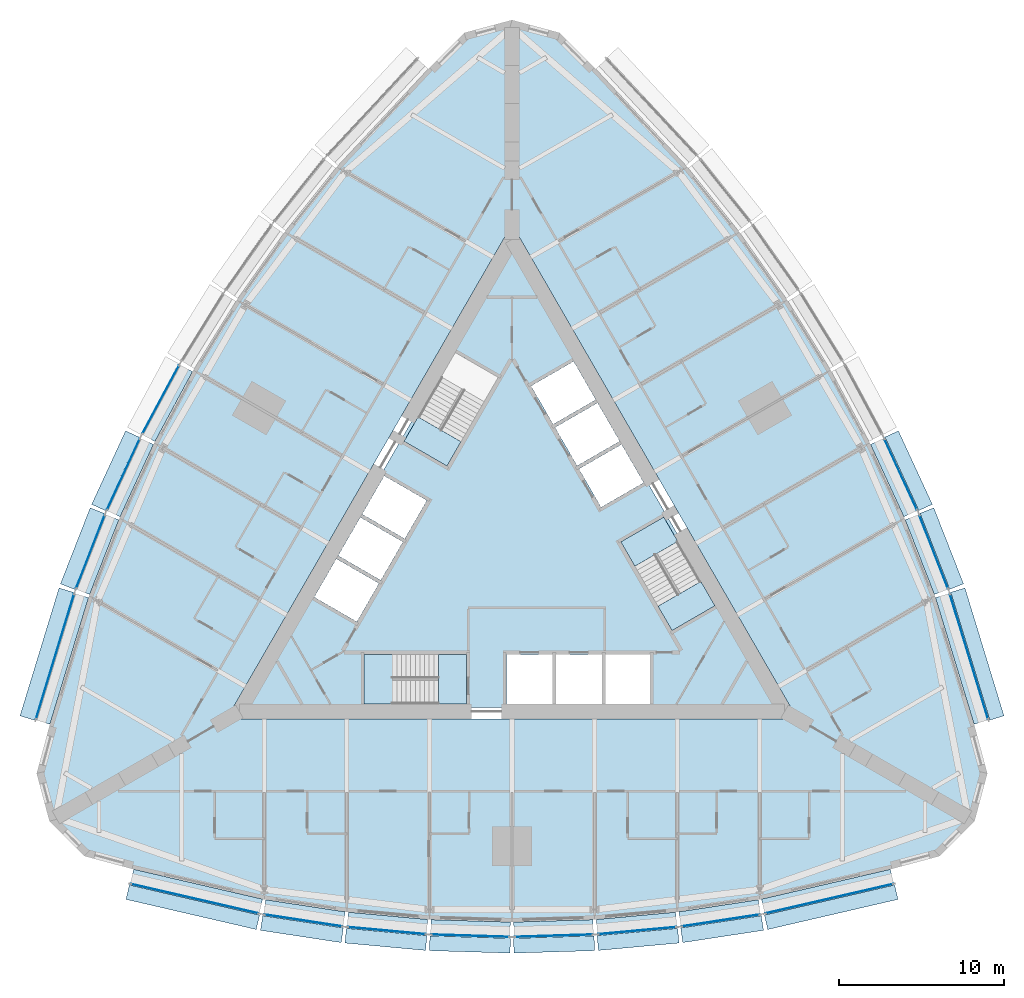
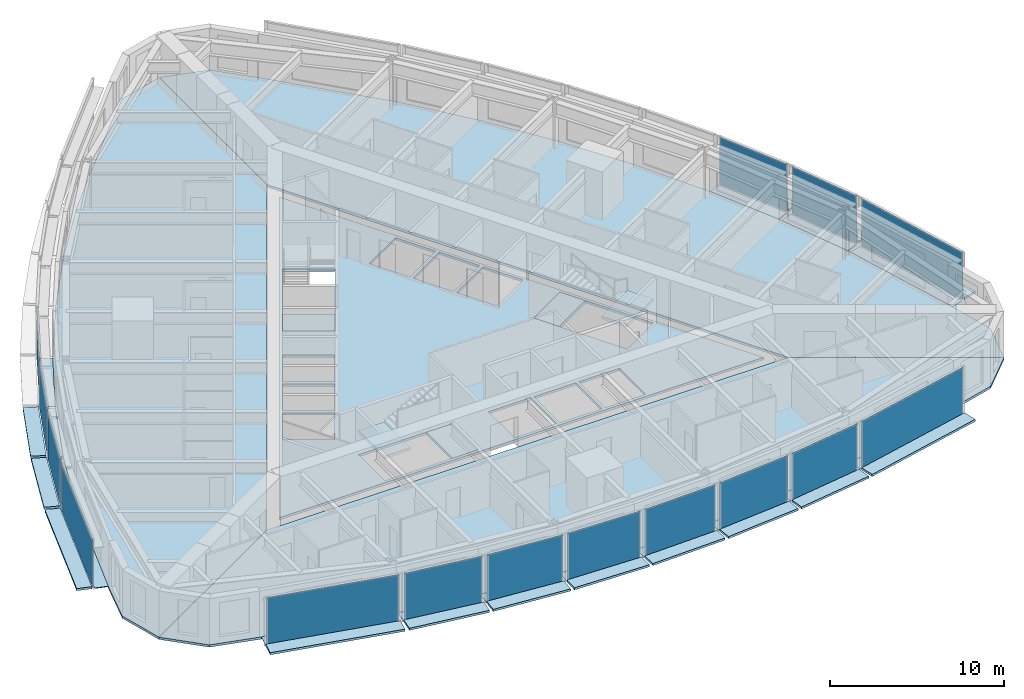
# One storey, part 6 of 14: 44 plates, 9 slabs, 18 elements without a shape of their own.
"""IFC4 building model written with IfcOpenShell, lengths in metres."""

import ifcopenshell
import ifcopenshell.guid

model = None  # the IFC model being written
_history = None  # IfcOwnerHistory: only IFC2X3 demands one
_inside = {}  # id of a spatial element -> (the spatial element, [elements in it])
_under = {}  # id of a project, library or spatial element -> (it, [spatial elements below it])
_declared = {}  # id of a project -> (the project, [libraries it declares])
_typed = {}  # id of a type object -> (the type object, [elements of that type])
_made_of = {}  # id of a material, layer set ... -> (it, [elements and type objects made of it])


def new_model(schema):
    """Start an empty IFC model of exactly this schema.

    Asked for "IFC4X3", IfcOpenShell would pick the latest addendum, in which some entities
    have other attributes; the version numbers below select the first issue.
    IFC2X3 requires an IfcOwnerHistory on every rooted entity: one is made here for all.
    """
    global model, _history
    if schema == "IFC4X3":
        model = ifcopenshell.file(schema_version=(4, 3, 0, 0))
    else:
        model = ifcopenshell.file(schema=schema)
    _inside.clear()
    _under.clear()
    _declared.clear()
    _typed.clear()
    _made_of.clear()
    _history = None
    if model.schema == "IFC2X3":
        org = make("IfcOrganization", Name="unknown")
        user = make(
            "IfcPersonAndOrganization",
            ThePerson=make("IfcPerson", FamilyName="unknown"),
            TheOrganization=org,
        )
        app = make(
            "IfcApplication",
            ApplicationDeveloper=org,
            Version="unknown",
            ApplicationFullName="unknown",
            ApplicationIdentifier="unknown",
        )
        _history = make(
            "IfcOwnerHistory",
            OwningUser=user,
            OwningApplication=app,
            ChangeAction="ADDED",
            CreationDate=0,
        )
    return model


def make(cls, **values):
    """One entity of the class cls with the attributes given. An attribute that is None is left unset."""
    return model.create_entity(
        cls, **{name: value for name, value in values.items() if value is not None}
    )


def rooted(cls, **values):
    """An entity with a GlobalId (a new one), such as an element, a storey or a relation."""
    return make(cls, GlobalId=ifcopenshell.guid.new(), OwnerHistory=_history, **values)


def si_unit(unit_type, name, prefix=None):
    """IfcSIUnit, for example si_unit("LENGTHUNIT", "METRE", prefix="MILLI")."""
    return make("IfcSIUnit", UnitType=unit_type, Prefix=prefix, Name=name)


def assignment(units):
    """IfcUnitAssignment: the units of a project."""
    return None if units is None else make("IfcUnitAssignment", Units=units)


def point(xyz):
    """IfcCartesianPoint."""
    return None if xyz is None else make("IfcCartesianPoint", Coordinates=xyz)


def direction(xyz):
    """IfcDirection."""
    return None if xyz is None else make("IfcDirection", DirectionRatios=xyz)


def frame(location, z_axis=None, x_axis=None):
    """IfcAxis2Placement3D, a coordinate frame: its origin and axes. An axis left out is left unset."""
    return make(
        "IfcAxis2Placement3D",
        Location=point(location),
        Axis=direction(z_axis),
        RefDirection=direction(x_axis),
    )


def frame_2d(location, x_axis=None):
    """IfcAxis2Placement2D, a coordinate frame in the plane: its origin and x axis."""
    return make(
        "IfcAxis2Placement2D", Location=point(location), RefDirection=direction(x_axis)
    )


def origin():
    """The frame at (0, 0, 0) with its axes left unset."""
    return frame((0.0, 0.0, 0.0))


def origin_2d():
    """The frame at (0, 0) in the plane with its x axis left unset."""
    return frame_2d((0.0, 0.0))


def place(relative_to, where):
    """IfcLocalPlacement: puts the frame where relative to a parent placement (None: the world)."""
    return make(
        "IfcLocalPlacement", PlacementRelTo=relative_to, RelativePlacement=where
    )


def context(
    kind, dimensions, precision=None, world=None, true_north=None, identifier=None
):
    """IfcGeometricRepresentationContext, for example the 3D "Model" context."""
    return make(
        "IfcGeometricRepresentationContext",
        ContextIdentifier=identifier,
        ContextType=kind,
        CoordinateSpaceDimension=dimensions,
        Precision=precision,
        WorldCoordinateSystem=world,
        TrueNorth=true_north,
    )


def subcontext(parent, identifier, kind, view, scale=None):
    """IfcGeometricRepresentationSubContext, for example "Body" below "Model"."""
    return make(
        "IfcGeometricRepresentationSubContext",
        ContextIdentifier=identifier,
        ContextType=kind,
        ParentContext=parent,
        TargetScale=scale,
        TargetView=view,
    )


def project(units=None, contexts=None):
    """IfcProject with its units and contexts."""
    return rooted(
        "IfcProject",
        Name="project",
        RepresentationContexts=contexts,
        UnitsInContext=assignment(units),
    )


def spatial(cls, under=None, at=None, **own):
    """A site, building, storey or space (cls), placed at a placement, below another one or the project."""
    s = rooted(cls, ObjectPlacement=at, **own)
    if under is not None:
        _under.setdefault(under.id(), (under, []))[1].append(s)
    return s


def polyline(points):
    """IfcPolyline through the points."""
    return make("IfcPolyline", Points=[point(p) for p in points])


def profile(cls, at=None, kind="AREA", **sizes):
    """A parametric profile (cls). Its sizes go by their IFC names, for example OverallWidth=200.0."""
    return make(cls, ProfileType=kind, Position=at, **sizes)


def rectangle(**sizes):
    """IfcRectangleProfileDef."""
    return profile("IfcRectangleProfileDef", **sizes)


def outline(outer, holes=None, kind="AREA"):
    """IfcArbitraryClosedProfileDef: a profile drawn as a closed curve; with holes, ...WithVoids."""
    if holes is None:
        return make("IfcArbitraryClosedProfileDef", ProfileType=kind, OuterCurve=outer)
    return make(
        "IfcArbitraryProfileDefWithVoids",
        ProfileType=kind,
        OuterCurve=outer,
        InnerCurves=holes,
    )


def extrude(swept, where, along, depth):
    """IfcExtrudedAreaSolid: the profile swept, set in the frame where, extruded along a direction by depth."""
    return make(
        "IfcExtrudedAreaSolid",
        SweptArea=swept,
        Position=where,
        ExtrudedDirection=direction(along),
        Depth=depth,
    )


def shape(context_of_items, identifier, shape_type, items):
    """IfcShapeRepresentation: the items that make up one representation, for example the "Body"."""
    return make(
        "IfcShapeRepresentation",
        ContextOfItems=context_of_items,
        RepresentationIdentifier=identifier,
        RepresentationType=shape_type,
        Items=items,
    )


def material(Name=None, Category=None):
    """IfcMaterial."""
    return make("IfcMaterial", Name=Name, Category=Category)


def layer(
    of_material, thickness, ventilated=None, Name=None, Category=None, Priority=None
):
    """IfcMaterialLayer: one layer of a wall or slab, of a material (None: an air gap)."""
    return make(
        "IfcMaterialLayer",
        Material=of_material,
        LayerThickness=thickness,
        IsVentilated=ventilated,
        Name=Name,
        Category=Category,
        Priority=Priority,
    )


def layer_set(layers, Name=None):
    """IfcMaterialLayerSet."""
    return make("IfcMaterialLayerSet", MaterialLayers=layers, LayerSetName=Name)


def made_of(thing, what):
    """Note that an element or type object is made of a material, layer set ...; save() writes the relation."""
    if what is not None:
        _made_of.setdefault(what.id(), (what, []))[1].append(thing)
    return thing


def type_object(cls, material=None, **own):
    """A type object (cls), such as IfcWallType, which elements share."""
    return made_of(rooted(cls, **own), material)


def element(
    cls,
    number,
    at=None,
    inside=None,
    cuts=None,
    type_object=None,
    material=None,
    context=None,
    identifier="Body",
    shape_type=None,
    held_by="IfcProductDefinitionShape",
    body=None,
    shapes=None,
    **own,
):
    """One element of the class cls, such as IfcWall. Its Tag is "e" and its number.

    at: its placement. inside: the storey or other place that contains it. cuts: it is an
    opening in that element (IfcRelVoidsElement). A single representation is given by context,
    identifier, shape_type and body (its items); several are given by shapes. held_by: the class
    of the entity that holds the representations. save() writes the other relations.
    """
    e = rooted(cls, Tag="e%d" % number, ObjectPlacement=at, **own)
    if body is not None:
        shapes = [shape(context, identifier, shape_type, body)]
    if shapes is not None:
        e.Representation = make(held_by, Representations=shapes)
    if inside is not None:
        _inside.setdefault(inside.id(), (inside, []))[1].append(e)
    if cuts is not None:
        rooted(
            "IfcRelVoidsElement", RelatingBuildingElement=cuts, RelatedOpeningElement=e
        )
    if type_object is not None:
        _typed.setdefault(type_object.id(), (type_object, []))[1].append(e)
    return made_of(e, material)


def aggregate(whole, parts):
    """IfcRelAggregates: a whole, such as a stair, and the parts it consists of."""
    return rooted("IfcRelAggregates", RelatingObject=whole, RelatedObjects=parts)


def save(model, path):
    """Write the relations noted so far, then the file.

    IfcRelAggregates (storeys below a building ...), IfcRelContainedInSpatialStructure (elements
    in a storey), IfcRelDefinesByType, IfcRelAssociatesMaterial and IfcRelDeclares: one each for
    every whole, place, type object, material and project.
    """
    for whole, parts in _under.values():
        aggregate(whole, parts)
    for where, things in _inside.values():
        rooted(
            "IfcRelContainedInSpatialStructure",
            RelatedElements=things,
            RelatingStructure=where,
        )
    for kind, things in _typed.values():
        rooted("IfcRelDefinesByType", RelatedObjects=things, RelatingType=kind)
    for what, things in _made_of.values():
        rooted("IfcRelAssociatesMaterial", RelatedObjects=things, RelatingMaterial=what)
    for by, libraries in _declared.values():
        rooted("IfcRelDeclares", RelatingContext=by, RelatedDefinitions=libraries)
    model.write(path)


model = new_model("IFC4")

# Units and contexts
model_context = context("Model", 3, precision=1e-05, world=origin(), true_north=direction((0.0, 1.0)))
body_context = subcontext(model_context, "Body", "Model", "MODEL_VIEW")
ifc_project = project(units=[si_unit("LENGTHUNIT", "METRE"), si_unit("AREAUNIT", "SQUARE_METRE"), si_unit("VOLUMEUNIT", "CUBIC_METRE"), si_unit("PLANEANGLEUNIT", "RADIAN"), si_unit("MASSUNIT", "GRAM", prefix="KILO")], contexts=[model_context])

# Site, building, storey
site_placement = place(None, origin())
site = spatial("IfcSite", under=ifc_project, at=site_placement, CompositionType="ELEMENT")
building_placement = place(site_placement, origin())
building = spatial("IfcBuilding", under=site, at=building_placement, Name="Trikona Tower", CompositionType="ELEMENT")
storey_placement = place(building_placement, frame((0.0, 0.0, 72.699951171875)))
storey = spatial("IfcBuildingStorey", under=building, at=storey_placement, Name="L18", CompositionType="ELEMENT", Elevation=72.699951171875)

# Plates
ifc_material_1 = material(Name="Aluminium bar grating", Category="aluminium")
ifc_layer_1 = layer(ifc_material_1, 0.050048828125)
ifc_layer_set_1 = layer_set([ifc_layer_1], Name="Cavity catwalk grating")
plate_type_1 = type_object("IfcPlateType", Name="Cavity catwalk grating", PredefinedType="USERDEFINED", material=ifc_layer_set_1)
plate_1_placement = place(storey_placement, frame((-19.09228515625, -20.377197265625, -0.0498046875), z_axis=(0.0, 0.0, 1.0), x_axis=(0.974277718622, -0.225350675607, 0.0)))
element("IfcPlate", 1, at=plate_1_placement, inside=storey, type_object=plate_type_1, Name="Cavity catwalk L18-00", ObjectType="CATWALK GRATING", PredefinedType="USERDEFINED", context=body_context, shape_type="SweptSolid", body=[
    extrude(rectangle(XDim=8.01123046875, YDim=0.820068359375, at=origin_2d()), origin(), (0.0, 0.0, 1.0), 0.050048828125),
])
plate_2_placement = place(storey_placement, frame((-12.561767578125, -21.688720703125, -0.0498046875), z_axis=(0.0, 0.0, 1.0), x_axis=(0.988617896768, -0.150448177754, 0.0)))
element("IfcPlate", 2, at=plate_2_placement, inside=storey, type_object=plate_type_1, Name="Cavity catwalk L18-01", ObjectType="CATWALK GRATING", PredefinedType="USERDEFINED", context=body_context, shape_type="SweptSolid", body=[
    extrude(rectangle(XDim=4.857666015625, YDim=0.820068359375, at=origin_2d()), origin(), (0.0, 0.0, 1.0), 0.050048828125),
])
plate_3_placement = place(storey_placement, frame((-7.537353515625, -22.300537109375, -0.0498046875), z_axis=(0.0, 0.0, 1.0), x_axis=(0.995858098326, -0.090921108655, 0.0)))
element("IfcPlate", 3, at=plate_3_placement, inside=storey, type_object=plate_type_1, Name="Cavity catwalk L18-02", ObjectType="CATWALK GRATING", PredefinedType="USERDEFINED", context=body_context, shape_type="SweptSolid", body=[
    extrude(rectangle(XDim=4.82080078125, YDim=0.820068359375, at=origin_2d()), origin(), (0.0, 0.0, 1.0), 0.050048828125),
])
for number, where, z_axis, x_axis, name in (
    (4, (-2.512451171875, -22.606201171875, -0.0498046875), (0.0, 0.0, 1.0), (0.999537048889, -0.030425119525, 0.0), "Cavity catwalk L18-03"),
    (5, (2.512451171875, -22.606201171875, -0.0498046875), (0.0, 0.0, 1.0), (0.999537048889, 0.030425119525, 0.0), "Cavity catwalk L18-04"),
):
    element("IfcPlate", number, at=place(storey_placement, frame(where, z_axis=z_axis, x_axis=x_axis)), inside=storey, type_object=plate_type_1, Name=name, ObjectType="CATWALK GRATING", PredefinedType="USERDEFINED", context=body_context, shape_type="SweptSolid", body=[
        extrude(rectangle(XDim=4.80224609375, YDim=0.820068359375, at=origin_2d()), origin(), (0.0, 0.0, 1.0), 0.050048828125),
    ])
plate_4_placement = place(storey_placement, frame((7.537353515625, -22.300537109375, -0.0498046875), z_axis=(0.0, 0.0, 1.0), x_axis=(0.995858098326, 0.090921108655, 0.0)))
element("IfcPlate", 6, at=plate_4_placement, inside=storey, type_object=plate_type_1, Name="Cavity catwalk L18-05", ObjectType="CATWALK GRATING", PredefinedType="USERDEFINED", context=body_context, shape_type="SweptSolid", body=[
    extrude(rectangle(XDim=4.82080078125, YDim=0.820068359375, at=origin_2d()), origin(), (0.0, 0.0, 1.0), 0.050048828125),
])
plate_5_placement = place(storey_placement, frame((12.561767578125, -21.688720703125, -0.0498046875), z_axis=(0.0, 0.0, 1.0), x_axis=(0.988617896768, 0.150448177754, 0.0)))
element("IfcPlate", 7, at=plate_5_placement, inside=storey, type_object=plate_type_1, Name="Cavity catwalk L18-06", ObjectType="CATWALK GRATING", PredefinedType="USERDEFINED", context=body_context, shape_type="SweptSolid", body=[
    extrude(rectangle(XDim=4.857666015625, YDim=0.820068359375, at=origin_2d()), origin(), (0.0, 0.0, 1.0), 0.050048828125),
])
for number, where, z_axis, x_axis, name in (
    (8, (19.09228515625, -20.377197265625, -0.0498046875), (0.0, 0.0, 1.0), (0.974277718622, 0.225350675607, 0.0), "Cavity catwalk L18-07"),
    (9, (27.193359375, -6.345947265625, -0.0498046875), (0.0, 0.0, 1.0), (-0.291979449475, 0.956424592471, 0.0), "Cavity catwalk L18-12"),
):
    element("IfcPlate", number, at=place(storey_placement, frame(where, z_axis=z_axis, x_axis=x_axis)), inside=storey, type_object=plate_type_1, Name=name, ObjectType="CATWALK GRATING", PredefinedType="USERDEFINED", context=body_context, shape_type="SweptSolid", body=[
        extrude(rectangle(XDim=8.01123046875, YDim=0.820068359375, at=origin_2d()), origin(), (0.0, 0.0, 1.0), 0.050048828125),
    ])
plate_6_placement = place(storey_placement, frame((25.06396484375, -0.034423828125, -0.0498046875), z_axis=(0.0, 0.0, 1.0), x_axis=(-0.364008876551, 0.931395478726, 0.0)))
element("IfcPlate", 10, at=plate_6_placement, inside=storey, type_object=plate_type_1, Name="Cavity catwalk L18-13", ObjectType="CATWALK GRATING", PredefinedType="USERDEFINED", context=body_context, shape_type="SweptSolid", body=[
    extrude(rectangle(XDim=4.857666015625, YDim=0.820068359375, at=origin_2d()), origin(), (0.0, 0.0, 1.0), 0.050048828125),
])
plate_7_placement = place(storey_placement, frame((23.081298828125, 4.622802734375, -0.0498046875), z_axis=(0.0, 0.0, 1.0), x_axis=(-0.41919381307, 0.907896771161, 0.0)))
element("IfcPlate", 11, at=plate_7_placement, inside=storey, type_object=plate_type_1, Name="Cavity catwalk L18-14", ObjectType="CATWALK GRATING", PredefinedType="USERDEFINED", context=body_context, shape_type="SweptSolid", body=[
    extrude(rectangle(XDim=4.82080078125, YDim=0.820068359375, at=origin_2d()), origin(), (0.0, 0.0, 1.0), 0.050048828125),
])
plate_8_placement = place(storey_placement, frame((-20.833740234375, 9.127197265625, -0.0498046875), z_axis=(0.0, 0.0, 1.0), x_axis=(-0.473422672721, -0.880835383572, 0.0)))
element("IfcPlate", 12, at=plate_8_placement, inside=storey, type_object=plate_type_1, Name="Cavity catwalk L18-28", ObjectType="CATWALK GRATING", PredefinedType="USERDEFINED", context=body_context, shape_type="SweptSolid", body=[
    extrude(rectangle(XDim=4.80224609375, YDim=0.820068359375, at=origin_2d()), origin(), (0.0, 0.0, 1.0), 0.050048828125),
])
plate_9_placement = place(storey_placement, frame((-23.081298828125, 4.622802734375, -0.0498046875), z_axis=(0.0, 0.0, 1.0), x_axis=(-0.41919381307, -0.907896771161, 0.0)))
element("IfcPlate", 13, at=plate_9_placement, inside=storey, type_object=plate_type_1, Name="Cavity catwalk L18-29", ObjectType="CATWALK GRATING", PredefinedType="USERDEFINED", context=body_context, shape_type="SweptSolid", body=[
    extrude(rectangle(XDim=4.82080078125, YDim=0.820068359375, at=origin_2d()), origin(), (0.0, 0.0, 1.0), 0.050048828125),
])
plate_10_placement = place(storey_placement, frame((-25.06396484375, -0.034423828125, -0.0498046875), z_axis=(0.0, 0.0, 1.0), x_axis=(-0.364008876551, -0.931395478726, 0.0)))
element("IfcPlate", 14, at=plate_10_placement, inside=storey, type_object=plate_type_1, Name="Cavity catwalk L18-30", ObjectType="CATWALK GRATING", PredefinedType="USERDEFINED", context=body_context, shape_type="SweptSolid", body=[
    extrude(rectangle(XDim=4.857666015625, YDim=0.820068359375, at=origin_2d()), origin(), (0.0, 0.0, 1.0), 0.050048828125),
])
plate_11_placement = place(storey_placement, frame((-27.193359375, -6.345947265625, -0.0498046875), z_axis=(0.0, 0.0, 1.0), x_axis=(-0.291979449475, -0.956424592471, 0.0)))
element("IfcPlate", 15, at=plate_11_placement, inside=storey, type_object=plate_type_1, Name="Cavity catwalk L18-31", ObjectType="CATWALK GRATING", PredefinedType="USERDEFINED", context=body_context, shape_type="SweptSolid", body=[
    extrude(rectangle(XDim=8.01123046875, YDim=0.820068359375, at=origin_2d()), origin(), (0.0, 0.0, 1.0), 0.050048828125),
])

# Slabs
ifc_material_2 = material(Name="Concrete f'c 5000 psi lightweight on composite steel deck", Category="concrete")
ifc_layer_2 = layer(ifc_material_2, 0.1650390625)
ifc_layer_set_2 = layer_set([ifc_layer_2], Name="Composite floor slab 165")
slab_type_1 = type_object("IfcSlabType", Name="Composite floor slab 165", PredefinedType="FLOOR", material=ifc_layer_set_2)
slab_1_placement = place(storey_placement, frame((0.0, 0.0, -0.1650390625)))
element("IfcSlab", 16, at=slab_1_placement, inside=storey, type_object=slab_type_1, Name="Floor slab L18 core", PredefinedType="FLOOR", context=body_context, shape_type="SweptSolid", body=[
    extrude(outline(polyline([(-16.06689453125, -9.2763671875), (16.06689453125, -9.2763671875), (0.0, 18.552490234375), (-16.06689453125, -9.2763671875)]), holes=[polyline([(12.285400390625, -3.126220703125), (9.185302734375, 2.2431640625), (6.587158203125, 0.7431640625), (9.687255859375, -4.626220703125), (12.285400390625, -3.126220703125)]), polyline([(8.340087890625, -9.06640625), (8.340087890625, -6.086181640625), (5.659912109375, -6.086181640625), (5.659912109375, -9.06640625), (8.340087890625, -9.06640625)]), polyline([(5.390869140625, 2.835205078125), (7.9716796875, 4.3251953125), (6.631591796875, 6.646240234375), (4.05078125, 5.15625), (5.390869140625, 2.835205078125)]), polyline([(2.600830078125, 7.667724609375), (3.94091796875, 5.3466796875), (6.521484375, 6.8369140625), (5.181640625, 9.15771484375), (2.600830078125, 7.667724609375)]), polyline([(5.43994140625, -6.086181640625), (2.659912109375, -6.086181640625), (2.659912109375, -9.06640625), (5.43994140625, -9.06640625), (5.43994140625, -6.086181640625)]), polyline([(3.731689453125, 11.669189453125), (1.15087890625, 10.17919921875), (2.490966796875, 7.858154296875), (5.071533203125, 9.34814453125), (3.731689453125, 11.669189453125)]), polyline([(-0.340087890625, -6.086181640625), (-0.340087890625, -9.06640625), (2.43994140625, -9.06640625), (2.43994140625, -6.086181640625), (-0.340087890625, -6.086181640625)]), polyline([(-3.435302734375, 12.202392578125), (-6.535400390625, 6.8330078125), (-3.937255859375, 5.3330078125), (-0.837158203125, 10.702392578125), (-3.435302734375, 12.202392578125)]), polyline([(-8.949951171875, -9.076416015625), (-2.75, -9.076416015625), (-2.75, -6.076416015625), (-8.949951171875, -6.076416015625), (-8.949951171875, -9.076416015625)]), polyline([(-5.15087890625, 3.2509765625), (-7.731689453125, 4.740966796875), (-9.071533203125, 2.419921875), (-6.490966796875, 0.929931640625), (-5.15087890625, 3.2509765625)]), polyline([(-7.94091796875, -1.581298828125), (-6.600830078125, 0.739501953125), (-9.181640625, 2.2294921875), (-10.521484375, -0.09130859375), (-7.94091796875, -1.581298828125)]), polyline([(-11.9716796875, -2.602783203125), (-9.390869140625, -4.093017578125), (-8.05078125, -1.77197265625), (-10.631591796875, -0.281982421875), (-11.9716796875, -2.602783203125)])]), origin(), (0.0, 0.0, 1.0), 0.1650390625),
])
slab_2_placement = place(storey_placement, frame((0.0, 0.0, -0.1650390625)))
element("IfcSlab", 17, at=slab_2_placement, inside=storey, type_object=slab_type_1, Name="Floor slab L18 south", PredefinedType="FLOOR", context=body_context, shape_type="SweptSolid", body=[
    extrude(outline(polyline([(25.88671875, -18.279052734375), (28.0, -16.165771484375), (17.279296875, -9.976318359375), (-17.279296875, -9.976318359375), (-28.0, -16.165771484375), (-25.88671875, -18.279052734375), (-23.0, -19.052490234375), (-15.0, -20.903076171875), (-10.0, -21.663818359375), (-5.0, -22.120361328125), (0.0, -22.272705078125), (5.0, -22.120361328125), (10.0, -21.663818359375), (15.0, -20.903076171875), (23.0, -19.052490234375), (25.88671875, -18.279052734375)])), origin(), (0.0, 0.0, 1.0), 0.1650390625),
])
slab_3_placement = place(storey_placement, frame((0.0, 0.0, -0.1650390625)))
element("IfcSlab", 18, at=slab_3_placement, inside=storey, type_object=slab_type_1, Name="Floor slab L18 north-east", PredefinedType="FLOOR", context=body_context, shape_type="SweptSolid", body=[
    extrude(outline(polyline([(2.88671875, 31.55810546875), (0.0, 32.33154296875), (0.0, 19.95263671875), (17.279296875, -9.976318359375), (28.0, -16.165771484375), (28.7734375, -13.279052734375), (28.0, -10.392333984375), (25.6025390625, -2.538818359375), (23.761474609375, 2.171630859375), (21.65673828125, 6.72998046875), (19.28857421875, 11.13623046875), (16.65673828125, 15.390380859375), (13.761474609375, 19.4921875), (10.6025390625, 23.44189453125), (5.0, 29.44482421875), (2.88671875, 31.55810546875)])), origin(), (0.0, 0.0, 1.0), 0.1650390625),
])
slab_4_placement = place(storey_placement, frame((0.0, 0.0, -0.1650390625)))
element("IfcSlab", 19, at=slab_4_placement, inside=storey, type_object=slab_type_1, Name="Floor slab L18 north-west", PredefinedType="FLOOR", context=body_context, shape_type="SweptSolid", body=[
    extrude(outline(polyline([(0.0, 19.95263671875), (0.0, 32.33154296875), (-2.88671875, 31.55810546875), (-5.0, 29.44482421875), (-10.6025390625, 23.44189453125), (-13.761474609375, 19.4921875), (-16.65673828125, 15.390380859375), (-19.28857421875, 11.13623046875), (-21.65673828125, 6.72998046875), (-23.761474609375, 2.171630859375), (-25.6025390625, -2.538818359375), (-28.0, -10.392333984375), (-28.7734375, -13.279052734375), (-28.0, -16.165771484375), (-17.279296875, -9.976318359375), (0.0, 19.95263671875)])), origin(), (0.0, 0.0, 1.0), 0.1650390625),
])

# Curtain wall, plate
ifc_material_3 = material(Name="Aluminium curtain wall system", Category="aluminium")
curtain_wall_type = type_object("IfcCurtainWallType", Name="Curtain wall DS1", PredefinedType="NOTDEFINED", material=ifc_material_3)
curtain_wall_1_placement = place(storey_placement, origin())
curtain_wall_1 = element("IfcCurtainWall", 20, at=curtain_wall_1_placement, inside=storey, type_object=curtain_wall_type, Name="Curtain wall DS1 L18", PredefinedType="NOTDEFINED")
ifc_material_4 = material(Name="Laminated clear glass", Category="glass")
ifc_layer_3 = layer(ifc_material_4, 0.028076171875)
ifc_layer_set_3 = layer_set([ifc_layer_3], Name="Glass panel DS1")
plate_type_2 = type_object("IfcPlateType", Name="Glass panel DS1", PredefinedType="CURTAIN_PANEL", material=ifc_layer_set_3)
plate_12_placement = place(storey_placement, frame((-19.202880859375, -20.854736328125, 0.0), z_axis=(0.0, 0.0, 1.0), x_axis=(0.974279427173, -0.225343288756, 0.0)))
plate_12 = element("IfcPlate", 21, at=plate_12_placement, type_object=plate_type_2, Name="CW-DS1 panel 1.1", PredefinedType="CURTAIN_PANEL", context=body_context, shape_type="SweptSolid", body=[
    extrude(rectangle(XDim=7.93115234375, YDim=0.028076171875, at=origin_2d()), origin(), (0.0, 0.0, 1.0), 3.320068359375),
])
aggregate(curtain_wall_1, [plate_12])

curtain_wall_2_placement = place(storey_placement, origin())
curtain_wall_2 = element("IfcCurtainWall", 22, at=curtain_wall_2_placement, inside=storey, type_object=curtain_wall_type, Name="Curtain wall DS1 L18", PredefinedType="NOTDEFINED")
plate_13_placement = place(storey_placement, frame((-12.635498046875, -22.173095703125, 0.0), z_axis=(0.0, 0.0, 1.0), x_axis=(0.988619492156, -0.150437693845, 0.0)))
plate_13 = element("IfcPlate", 23, at=plate_13_placement, type_object=plate_type_2, Name="CW-DS1 panel 1.1", PredefinedType="CURTAIN_PANEL", context=body_context, shape_type="SweptSolid", body=[
    extrude(rectangle(XDim=4.777587890625, YDim=0.028076171875, at=origin_2d()), origin(), (0.0, 0.0, 1.0), 3.320068359375),
])
aggregate(curtain_wall_2, [plate_13])

curtain_wall_3_placement = place(storey_placement, origin())
curtain_wall_3 = element("IfcCurtainWall", 24, at=curtain_wall_3_placement, inside=storey, type_object=curtain_wall_type, Name="Curtain wall DS1 L18", PredefinedType="NOTDEFINED")
plate_14_placement = place(storey_placement, frame((-7.581787109375, -22.788330078125, 0.0), z_axis=(0.0, 0.0, 1.0), x_axis=(0.995857840485, -0.090923932737, 0.0)))
plate_14 = element("IfcPlate", 25, at=plate_14_placement, type_object=plate_type_2, Name="CW-DS1 panel 1.1", PredefinedType="CURTAIN_PANEL", context=body_context, shape_type="SweptSolid", body=[
    extrude(rectangle(XDim=4.74072265625, YDim=0.028076171875, at=origin_2d()), origin(), (0.0, 0.0, 1.0), 3.320068359375),
])
aggregate(curtain_wall_3, [plate_14])

curtain_wall_4_placement = place(storey_placement, origin())
curtain_wall_4 = element("IfcCurtainWall", 26, at=curtain_wall_4_placement, inside=storey, type_object=curtain_wall_type, Name="Curtain wall DS1 L18", PredefinedType="NOTDEFINED")
plate_15_placement = place(storey_placement, frame((-2.52734375, -23.09619140625, 0.0), z_axis=(0.0, 0.0, 1.0), x_axis=(0.999536695965, -0.030436711692, 0.0)))
plate_15 = element("IfcPlate", 27, at=plate_15_placement, type_object=plate_type_2, Name="CW-DS1 panel 1.1", PredefinedType="CURTAIN_PANEL", context=body_context, shape_type="SweptSolid", body=[
    extrude(rectangle(XDim=4.72216796875, YDim=0.028076171875, at=origin_2d()), origin(), (0.0, 0.0, 1.0), 3.320068359375),
])
aggregate(curtain_wall_4, [plate_15])

curtain_wall_5_placement = place(storey_placement, origin())
curtain_wall_5 = element("IfcCurtainWall", 28, at=curtain_wall_5_placement, inside=storey, type_object=curtain_wall_type, Name="Curtain wall DS1 L18", PredefinedType="NOTDEFINED")
plate_16_placement = place(storey_placement, frame((2.52734375, -23.09619140625, 0.0), z_axis=(0.0, 0.0, 1.0), x_axis=(0.999536695965, 0.030436711692, 0.0)))
plate_16 = element("IfcPlate", 29, at=plate_16_placement, type_object=plate_type_2, Name="CW-DS1 panel 1.1", PredefinedType="CURTAIN_PANEL", context=body_context, shape_type="SweptSolid", body=[
    extrude(rectangle(XDim=4.72216796875, YDim=0.028076171875, at=origin_2d()), origin(), (0.0, 0.0, 1.0), 3.320068359375),
])
aggregate(curtain_wall_5, [plate_16])

curtain_wall_6_placement = place(storey_placement, origin())
curtain_wall_6 = element("IfcCurtainWall", 30, at=curtain_wall_6_placement, inside=storey, type_object=curtain_wall_type, Name="Curtain wall DS1 L18", PredefinedType="NOTDEFINED")
plate_17_placement = place(storey_placement, frame((7.581787109375, -22.788330078125, 0.0), z_axis=(0.0, 0.0, 1.0), x_axis=(0.995857840485, 0.090923932737, 0.0)))
plate_17 = element("IfcPlate", 31, at=plate_17_placement, type_object=plate_type_2, Name="CW-DS1 panel 1.1", PredefinedType="CURTAIN_PANEL", context=body_context, shape_type="SweptSolid", body=[
    extrude(rectangle(XDim=4.74072265625, YDim=0.028076171875, at=origin_2d()), origin(), (0.0, 0.0, 1.0), 3.320068359375),
])
aggregate(curtain_wall_6, [plate_17])

curtain_wall_7_placement = place(storey_placement, origin())
curtain_wall_7 = element("IfcCurtainWall", 32, at=curtain_wall_7_placement, inside=storey, type_object=curtain_wall_type, Name="Curtain wall DS1 L18", PredefinedType="NOTDEFINED")
plate_18_placement = place(storey_placement, frame((12.635498046875, -22.173095703125, 0.0), z_axis=(0.0, 0.0, 1.0), x_axis=(0.988619492156, 0.150437693845, 0.0)))
plate_18 = element("IfcPlate", 33, at=plate_18_placement, type_object=plate_type_2, Name="CW-DS1 panel 1.1", PredefinedType="CURTAIN_PANEL", context=body_context, shape_type="SweptSolid", body=[
    extrude(rectangle(XDim=4.777587890625, YDim=0.028076171875, at=origin_2d()), origin(), (0.0, 0.0, 1.0), 3.320068359375),
])
aggregate(curtain_wall_7, [plate_18])

curtain_wall_8_placement = place(storey_placement, origin())
curtain_wall_8 = element("IfcCurtainWall", 34, at=curtain_wall_8_placement, inside=storey, type_object=curtain_wall_type, Name="Curtain wall DS1 L18", PredefinedType="NOTDEFINED")
plate_19_placement = place(storey_placement, frame((19.202880859375, -20.854736328125, 0.0), z_axis=(0.0, 0.0, 1.0), x_axis=(0.974279427173, 0.225343288756, 0.0)))
plate_19 = element("IfcPlate", 35, at=plate_19_placement, type_object=plate_type_2, Name="CW-DS1 panel 1.1", PredefinedType="CURTAIN_PANEL", context=body_context, shape_type="SweptSolid", body=[
    extrude(rectangle(XDim=7.93115234375, YDim=0.028076171875, at=origin_2d()), origin(), (0.0, 0.0, 1.0), 3.320068359375),
])
aggregate(curtain_wall_8, [plate_19])

curtain_wall_9_placement = place(storey_placement, origin())
curtain_wall_9 = element("IfcCurtainWall", 36, at=curtain_wall_9_placement, inside=storey, type_object=curtain_wall_type, Name="Curtain wall DS1 L18", PredefinedType="NOTDEFINED")
plate_20_placement = place(storey_placement, frame((27.662109375, -6.202880859375, 0.0), z_axis=(0.0, 0.0, 1.0), x_axis=(-0.291984287868, 0.956423115383, 0.0)))
plate_20 = element("IfcPlate", 37, at=plate_20_placement, type_object=plate_type_2, Name="CW-DS1 panel 1.1", PredefinedType="CURTAIN_PANEL", context=body_context, shape_type="SweptSolid", body=[
    extrude(rectangle(XDim=7.93115234375, YDim=0.028076171875, at=origin_2d()), origin(), (0.0, 0.0, 1.0), 3.320068359375),
])
aggregate(curtain_wall_9, [plate_20])

curtain_wall_10_placement = place(storey_placement, origin())
curtain_wall_10 = element("IfcCurtainWall", 38, at=curtain_wall_10_placement, inside=storey, type_object=curtain_wall_type, Name="Curtain wall DS1 L18", PredefinedType="NOTDEFINED")
plate_21_placement = place(storey_placement, frame((25.520263671875, 0.14404296875, 0.0), z_axis=(0.0, 0.0, 1.0), x_axis=(-0.36400756977, 0.931395989443, 0.0)))
plate_21 = element("IfcPlate", 39, at=plate_21_placement, type_object=plate_type_2, Name="CW-DS1 panel 1.1", PredefinedType="CURTAIN_PANEL", context=body_context, shape_type="SweptSolid", body=[
    extrude(rectangle(XDim=4.777587890625, YDim=0.028076171875, at=origin_2d()), origin(), (0.0, 0.0, 1.0), 3.320068359375),
])
aggregate(curtain_wall_10, [plate_21])

curtain_wall_11_placement = place(storey_placement, origin())
curtain_wall_11 = element("IfcCurtainWall", 40, at=curtain_wall_11_placement, inside=storey, type_object=curtain_wall_type, Name="Curtain wall DS1 L18", PredefinedType="NOTDEFINED")
plate_22_placement = place(storey_placement, frame((23.5263671875, 4.828125, 0.0), z_axis=(0.0, 0.0, 1.0), x_axis=(-0.419190155352, 0.907898459992, 0.0)))
plate_22 = element("IfcPlate", 41, at=plate_22_placement, type_object=plate_type_2, Name="CW-DS1 panel 1.1", PredefinedType="CURTAIN_PANEL", context=body_context, shape_type="SweptSolid", body=[
    extrude(rectangle(XDim=4.740966796875, YDim=0.028076171875, at=origin_2d()), origin(), (0.0, 0.0, 1.0), 3.320068359375),
])
aggregate(curtain_wall_11, [plate_22])

curtain_wall_12_placement = place(storey_placement, origin())
curtain_wall_12 = element("IfcCurtainWall", 42, at=curtain_wall_12_placement, inside=storey, type_object=curtain_wall_type, Name="Curtain wall DS1 L18", PredefinedType="NOTDEFINED")
plate_23_placement = place(storey_placement, frame((-21.265380859375, 9.359130859375, 0.0), z_axis=(0.0, 0.0, 1.0), x_axis=(-0.473408350896, -0.880843080975, 0.0)))
plate_23 = element("IfcPlate", 43, at=plate_23_placement, type_object=plate_type_2, Name="CW-DS1 panel 1.1", PredefinedType="CURTAIN_PANEL", context=body_context, shape_type="SweptSolid", body=[
    extrude(rectangle(XDim=4.72216796875, YDim=0.028076171875, at=origin_2d()), origin(), (0.0, 0.0, 1.0), 3.320068359375),
])
aggregate(curtain_wall_12, [plate_23])

curtain_wall_13_placement = place(storey_placement, origin())
curtain_wall_13 = element("IfcCurtainWall", 44, at=curtain_wall_13_placement, inside=storey, type_object=curtain_wall_type, Name="Curtain wall DS1 L18", PredefinedType="NOTDEFINED")
plate_24_placement = place(storey_placement, frame((-23.5263671875, 4.828125, 0.0), z_axis=(0.0, 0.0, 1.0), x_axis=(-0.419190155352, -0.907898459992, 0.0)))
plate_24 = element("IfcPlate", 45, at=plate_24_placement, type_object=plate_type_2, Name="CW-DS1 panel 1.1", PredefinedType="CURTAIN_PANEL", context=body_context, shape_type="SweptSolid", body=[
    extrude(rectangle(XDim=4.740966796875, YDim=0.028076171875, at=origin_2d()), origin(), (0.0, 0.0, 1.0), 3.320068359375),
])
aggregate(curtain_wall_13, [plate_24])

curtain_wall_14_placement = place(storey_placement, origin())
curtain_wall_14 = element("IfcCurtainWall", 46, at=curtain_wall_14_placement, inside=storey, type_object=curtain_wall_type, Name="Curtain wall DS1 L18", PredefinedType="NOTDEFINED")
plate_25_placement = place(storey_placement, frame((-25.520263671875, 0.14404296875, 0.0), z_axis=(0.0, 0.0, 1.0), x_axis=(-0.36400756977, -0.931395989443, 0.0)))
plate_25 = element("IfcPlate", 47, at=plate_25_placement, type_object=plate_type_2, Name="CW-DS1 panel 1.1", PredefinedType="CURTAIN_PANEL", context=body_context, shape_type="SweptSolid", body=[
    extrude(rectangle(XDim=4.777587890625, YDim=0.028076171875, at=origin_2d()), origin(), (0.0, 0.0, 1.0), 3.320068359375),
])
aggregate(curtain_wall_14, [plate_25])

curtain_wall_15_placement = place(storey_placement, origin())
curtain_wall_15 = element("IfcCurtainWall", 48, at=curtain_wall_15_placement, inside=storey, type_object=curtain_wall_type, Name="Curtain wall DS1 L18", PredefinedType="NOTDEFINED")
plate_26_placement = place(storey_placement, frame((-27.662109375, -6.202880859375, 0.0), z_axis=(0.0, 0.0, 1.0), x_axis=(-0.291984287868, -0.956423115383, 0.0)))
plate_26 = element("IfcPlate", 49, at=plate_26_placement, type_object=plate_type_2, Name="CW-DS1 panel 1.1", PredefinedType="CURTAIN_PANEL", context=body_context, shape_type="SweptSolid", body=[
    extrude(rectangle(XDim=7.93115234375, YDim=0.028076171875, at=origin_2d()), origin(), (0.0, 0.0, 1.0), 3.320068359375),
])
aggregate(curtain_wall_15, [plate_26])

# Plates
ifc_material_5 = material(Name="Aluminium plate fin, pale anodised, on stainless steel outriggers", Category="steel")
ifc_layer_4 = layer(ifc_material_5, 0.14990234375)
ifc_layer_set_4 = layer_set([ifc_layer_4], Name="Outer skin fin 900")
plate_type_3 = type_object("IfcPlateType", Name="Outer skin fin 900", PredefinedType="USERDEFINED", material=ifc_layer_set_4)
plate_27_placement = place(storey_placement, frame((-19.322265625, -21.37109375, 0.0), z_axis=(0.0, 0.0, 1.0), x_axis=(0.974277718622, -0.225350675607, 0.0)))
element("IfcPlate", 50, at=plate_27_placement, inside=storey, type_object=plate_type_3, Name="Outer skin fin L18-00", ObjectType="FIN", PredefinedType="USERDEFINED", context=body_context, shape_type="SweptSolid", body=[
    extrude(rectangle(XDim=8.09130859375, YDim=0.89990234375, at=origin_2d()), origin(), (0.0, 0.0, 1.0), 0.14990234375),
])
plate_28_placement = place(storey_placement, frame((-12.715087890625, -22.697265625, 0.0), z_axis=(0.0, 0.0, 1.0), x_axis=(0.988617896768, -0.150448177754, 0.0)))
element("IfcPlate", 51, at=plate_28_placement, inside=storey, type_object=plate_type_3, Name="Outer skin fin L18-01", ObjectType="FIN", PredefinedType="USERDEFINED", context=body_context, shape_type="SweptSolid", body=[
    extrude(rectangle(XDim=4.9375, YDim=0.89990234375, at=origin_2d()), origin(), (0.0, 0.0, 1.0), 0.14990234375),
])
plate_29_placement = place(storey_placement, frame((-7.6298828125, -23.316162109375, 0.0), z_axis=(0.0, 0.0, 1.0), x_axis=(0.995858098326, -0.090921108655, 0.0)))
element("IfcPlate", 52, at=plate_29_placement, inside=storey, type_object=plate_type_3, Name="Outer skin fin L18-02", ObjectType="FIN", PredefinedType="USERDEFINED", context=body_context, shape_type="SweptSolid", body=[
    extrude(rectangle(XDim=4.90087890625, YDim=0.89990234375, at=origin_2d()), origin(), (0.0, 0.0, 1.0), 0.14990234375),
])
for number, where, z_axis, x_axis, name in (
    (53, (-2.54345703125, -23.625732421875, 0.0), (0.0, 0.0, 1.0), (0.999537048889, -0.030425119525, 0.0), "Outer skin fin L18-03"),
    (54, (2.54345703125, -23.625732421875, 0.0), (0.0, 0.0, 1.0), (0.999537048889, 0.030425119525, 0.0), "Outer skin fin L18-04"),
):
    element("IfcPlate", number, at=place(storey_placement, frame(where, z_axis=z_axis, x_axis=x_axis)), inside=storey, type_object=plate_type_3, Name=name, ObjectType="FIN", PredefinedType="USERDEFINED", context=body_context, shape_type="SweptSolid", body=[
        extrude(rectangle(XDim=4.88232421875, YDim=0.89990234375, at=origin_2d()), origin(), (0.0, 0.0, 1.0), 0.14990234375),
    ])
plate_30_placement = place(storey_placement, frame((7.6298828125, -23.316162109375, 0.0), z_axis=(0.0, 0.0, 1.0), x_axis=(0.995858098326, 0.090921108655, 0.0)))
element("IfcPlate", 55, at=plate_30_placement, inside=storey, type_object=plate_type_3, Name="Outer skin fin L18-05", ObjectType="FIN", PredefinedType="USERDEFINED", context=body_context, shape_type="SweptSolid", body=[
    extrude(rectangle(XDim=4.90087890625, YDim=0.89990234375, at=origin_2d()), origin(), (0.0, 0.0, 1.0), 0.14990234375),
])
plate_31_placement = place(storey_placement, frame((12.715087890625, -22.697265625, 0.0), z_axis=(0.0, 0.0, 1.0), x_axis=(0.988617896768, 0.150448177754, 0.0)))
element("IfcPlate", 56, at=plate_31_placement, inside=storey, type_object=plate_type_3, Name="Outer skin fin L18-06", ObjectType="FIN", PredefinedType="USERDEFINED", context=body_context, shape_type="SweptSolid", body=[
    extrude(rectangle(XDim=4.9375, YDim=0.89990234375, at=origin_2d()), origin(), (0.0, 0.0, 1.0), 0.14990234375),
])
for number, where, z_axis, x_axis, name in (
    (57, (19.322265625, -21.37109375, 0.0), (0.0, 0.0, 1.0), (0.974277718622, 0.225350675607, 0.0), "Outer skin fin L18-07"),
    (58, (28.1689453125, -6.048095703125, 0.0), (0.0, 0.0, 1.0), (-0.291979449475, 0.956424592471, 0.0), "Outer skin fin L18-12"),
):
    element("IfcPlate", number, at=place(storey_placement, frame(where, z_axis=z_axis, x_axis=x_axis)), inside=storey, type_object=plate_type_3, Name=name, ObjectType="FIN", PredefinedType="USERDEFINED", context=body_context, shape_type="SweptSolid", body=[
        extrude(rectangle(XDim=8.09130859375, YDim=0.89990234375, at=origin_2d()), origin(), (0.0, 0.0, 1.0), 0.14990234375),
    ])
plate_32_placement = place(storey_placement, frame((26.013916015625, 0.3369140625, 0.0), z_axis=(0.0, 0.0, 1.0), x_axis=(-0.364008876551, 0.931395478726, 0.0)))
element("IfcPlate", 59, at=plate_32_placement, inside=storey, type_object=plate_type_3, Name="Outer skin fin L18-13", ObjectType="FIN", PredefinedType="USERDEFINED", context=body_context, shape_type="SweptSolid", body=[
    extrude(rectangle(XDim=4.9375, YDim=0.89990234375, at=origin_2d()), origin(), (0.0, 0.0, 1.0), 0.14990234375),
])
for number, where, z_axis, x_axis, name in (
    (60, (24.00732421875, 5.05029296875, 0.0), (0.0, 0.0, 1.0), (-0.41919381307, 0.907896771161, 0.0), "Outer skin fin L18-14"),
    (61, (-24.00732421875, 5.05029296875, 0.0), (0.0, 0.0, 1.0), (-0.41919381307, -0.907896771161, 0.0), "Outer skin fin L18-29"),
):
    element("IfcPlate", number, at=place(storey_placement, frame(where, z_axis=z_axis, x_axis=x_axis)), inside=storey, type_object=plate_type_3, Name=name, ObjectType="FIN", PredefinedType="USERDEFINED", context=body_context, shape_type="SweptSolid", body=[
        extrude(rectangle(XDim=4.90087890625, YDim=0.89990234375, at=origin_2d()), origin(), (0.0, 0.0, 1.0), 0.14990234375),
    ])
plate_33_placement = place(storey_placement, frame((-26.013916015625, 0.3369140625, 0.0), z_axis=(0.0, 0.0, 1.0), x_axis=(-0.364008876551, -0.931395478726, 0.0)))
element("IfcPlate", 62, at=plate_33_placement, inside=storey, type_object=plate_type_3, Name="Outer skin fin L18-30", ObjectType="FIN", PredefinedType="USERDEFINED", context=body_context, shape_type="SweptSolid", body=[
    extrude(rectangle(XDim=4.9375, YDim=0.89990234375, at=origin_2d()), origin(), (0.0, 0.0, 1.0), 0.14990234375),
])
plate_34_placement = place(storey_placement, frame((-28.1689453125, -6.048095703125, 0.0), z_axis=(0.0, 0.0, 1.0), x_axis=(-0.291979449475, -0.956424592471, 0.0)))
element("IfcPlate", 63, at=plate_34_placement, inside=storey, type_object=plate_type_3, Name="Outer skin fin L18-31", ObjectType="FIN", PredefinedType="USERDEFINED", context=body_context, shape_type="SweptSolid", body=[
    extrude(rectangle(XDim=8.09130859375, YDim=0.89990234375, at=origin_2d()), origin(), (0.0, 0.0, 1.0), 0.14990234375),
])

# Stair, slabs
ifc_material_6 = material(Name="Concrete f'c 5000 psi", Category="concrete")
stair_type = type_object("IfcStairType", Name="Core stair", PredefinedType="HALF_TURN_STAIR", material=ifc_material_6)
stair_1_placement = place(storey_placement, origin())
stair_1 = element("IfcStair", 64, at=stair_1_placement, inside=storey, type_object=stair_type, Name="Stair A L18", PredefinedType="HALF_TURN_STAIR")
ifc_material_7 = material(Name="Concrete f'c 5000 psi", Category="concrete")
ifc_layer_5 = layer(ifc_material_7, 0.199951171875)
ifc_layer_set_5 = layer_set([ifc_layer_5], Name="Stair landing 200")
slab_type_2 = type_object("IfcSlabType", Name="Stair landing 200", PredefinedType="LANDING", material=ifc_layer_set_5)
slab_5_placement = place(storey_placement, frame((0.0, 0.0, -0.199951171875)))
slab_5 = element("IfcSlab", 65, at=slab_5_placement, type_object=slab_type_2, Name="ST-A landing 1", PredefinedType="LANDING", context=body_context, shape_type="SweptSolid", body=[
    extrude(outline(polyline([(-4.452880859375, -6.076416015625), (-2.75, -6.076416015625), (-2.75, -9.076416015625), (-4.452880859375, -9.076416015625), (-4.452880859375, -6.076416015625)])), origin(), (0.0, 0.0, 1.0), 0.199951171875),
])
slab_6_placement = place(storey_placement, frame((0.0, 0.0, 1.5)))
slab_6 = element("IfcSlab", 66, at=slab_6_placement, type_object=slab_type_2, Name="ST-A landing 2", PredefinedType="LANDING", context=body_context, shape_type="SweptSolid", body=[
    extrude(outline(polyline([(-8.949951171875, -6.076416015625), (-7.2470703125, -6.076416015625), (-7.2470703125, -9.076416015625), (-8.949951171875, -9.076416015625), (-8.949951171875, -6.076416015625)])), origin(), (0.0, 0.0, 1.0), 0.199951171875),
])
aggregate(stair_1, [slab_5, slab_6])

stair_2_placement = place(storey_placement, origin())
stair_2 = element("IfcStair", 67, at=stair_2_placement, inside=storey, type_object=stair_type, Name="Stair B L18", PredefinedType="HALF_TURN_STAIR")
slab_7_placement = place(storey_placement, frame((0.0, 0.0, -0.199951171875)))
slab_7 = element("IfcSlab", 68, at=slab_7_placement, type_object=slab_type_2, Name="ST-B landing 1", PredefinedType="LANDING", context=body_context, shape_type="SweptSolid", body=[
    extrude(outline(polyline([(7.438720703125, -0.731689453125), (6.587158203125, 0.7431640625), (9.185302734375, 2.2431640625), (10.036865234375, 0.768310546875), (7.438720703125, -0.731689453125)])), origin(), (0.0, 0.0, 1.0), 0.199951171875),
])
slab_8_placement = place(storey_placement, frame((0.0, 0.0, 1.5)))
slab_8 = element("IfcSlab", 69, at=slab_8_placement, type_object=slab_type_2, Name="ST-B landing 2", PredefinedType="LANDING", context=body_context, shape_type="SweptSolid", body=[
    extrude(outline(polyline([(9.687255859375, -4.626220703125), (8.835693359375, -3.1513671875), (11.433837890625, -1.6513671875), (12.285400390625, -3.126220703125), (9.687255859375, -4.626220703125)])), origin(), (0.0, 0.0, 1.0), 0.199951171875),
])
aggregate(stair_2, [slab_7, slab_8])

# Stair, slab
stair_3_placement = place(storey_placement, origin())
stair_3 = element("IfcStair", 70, at=stair_3_placement, inside=storey, type_object=stair_type, Name="Stair C L18", PredefinedType="HALF_TURN_STAIR")
slab_9_placement = place(storey_placement, frame((0.0, 0.0, -0.199951171875)))
slab_9 = element("IfcSlab", 71, at=slab_9_placement, type_object=slab_type_2, Name="ST-C landing 1", PredefinedType="LANDING", context=body_context, shape_type="SweptSolid", body=[
    extrude(outline(polyline([(-3.085693359375, 6.807861328125), (-3.937255859375, 5.3330078125), (-6.535400390625, 6.8330078125), (-5.683837890625, 8.307861328125), (-3.085693359375, 6.807861328125)])), origin(), (0.0, 0.0, 1.0), 0.199951171875),
])
aggregate(stair_3, [slab_9])

save(model, "model.ifc")
